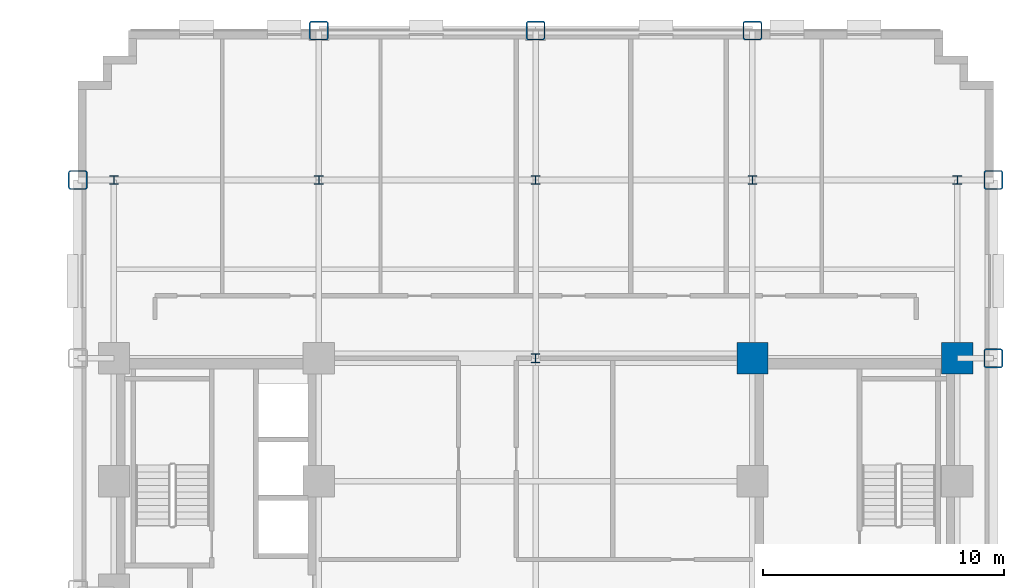
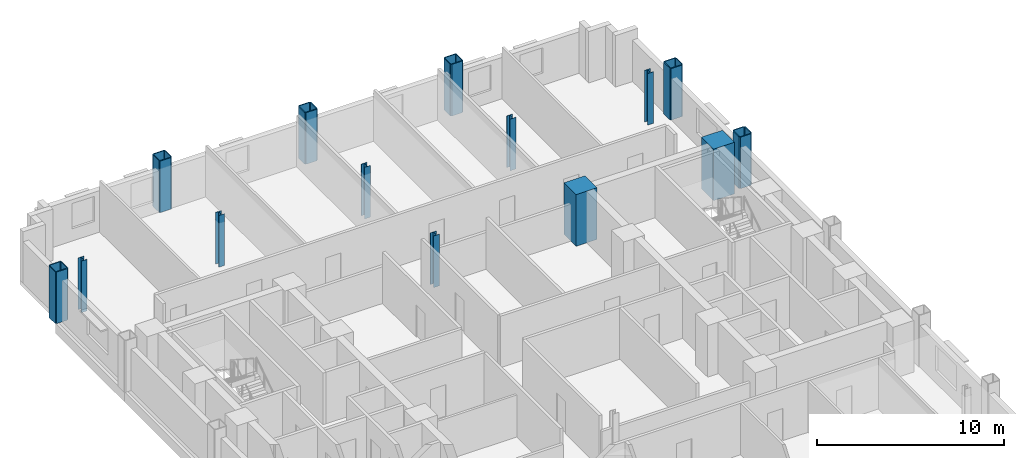
# One storey, part 2 of 12: 14 columns.
"""IFC4 building model written with IfcOpenShell, lengths in metres."""

from ifc_helpers import new_model, si_unit, direction, frame, origin, origin_2d, place, context, subcontext, project, spatial, rectangle, hollow_rectangle, i_section, extrude, material, material_profile, profile_set, type_object, element, save


model = new_model("IFC4")

# Units and contexts
model_context = context("Model", 3, precision=1e-05, world=origin(), true_north=direction((0.0, 1.0)))
body_context = subcontext(model_context, "Body", "Model", "MODEL_VIEW")
ifc_project = project(units=[si_unit("LENGTHUNIT", "METRE"), si_unit("AREAUNIT", "SQUARE_METRE"), si_unit("VOLUMEUNIT", "CUBIC_METRE"), si_unit("PLANEANGLEUNIT", "RADIAN"), si_unit("MASSUNIT", "GRAM", prefix="KILO")], contexts=[model_context])

# Site, building, storey
site_placement = place(None, origin())
site = spatial("IfcSite", under=ifc_project, at=site_placement, CompositionType="ELEMENT")
building_placement = place(site_placement, origin())
building = spatial("IfcBuilding", under=site, at=building_placement, Name="Nuvemarco Arch Tower", CompositionType="ELEMENT")
storey_placement = place(building_placement, frame((0.0, 0.0, 49.5)))
storey = spatial("IfcBuildingStorey", under=building, at=storey_placement, Name="L12", CompositionType="ELEMENT", Elevation=49.5)

# Columns
ifc_material_1 = material(Name="Concrete C60/75", Category="concrete")
ifc_material_profile_1 = material_profile(ifc_material_1, rectangle(XDim=1.300048828125, YDim=1.300048828125, at=origin_2d()), Name="RC-COL-1300x1300")
ifc_profile_set_1 = profile_set([ifc_material_profile_1], Name="Concrete C60/75")
column_type_1 = type_object("IfcColumnType", Name="COL-CORE-1300", PredefinedType="COLUMN", material=ifc_profile_set_1)
for number, where, z_axis, x_axis, name in (
    (1, (9.0, 9.60009765625, 0.0), (0.0, 0.0, 1.0), (1.0, 0.0, 0.0), "L12 column CC_+9.0_+9.6"),
    (2, (17.5, 9.60009765625, 0.0), (0.0, 0.0, 1.0), (1.0, 0.0, 0.0), "L12 column CC_+17.5_+9.6"),
):
    element("IfcColumn", number, at=place(storey_placement, frame(where, z_axis=z_axis, x_axis=x_axis)), inside=storey, type_object=column_type_1, Name=name, PredefinedType="COLUMN", context=body_context, shape_type="SweptSolid", body=[
        extrude(rectangle(XDim=1.300048828125, YDim=1.300048828125, at=origin_2d()), origin(), (0.0, 0.0, 1.0), 3.3701171875),
    ])
ifc_material_2 = material(Name="Steel S460", Category="steel")
ifc_material_profile_2 = material_profile(ifc_material_2, hollow_rectangle(XDim=0.800048828125, YDim=0.800048828125, WallThickness=0.054931640625, InnerFilletRadius=0.054931640625, OuterFilletRadius=0.110107421875, at=origin_2d()), Name="SHS800x800x55")
ifc_profile_set_2 = profile_set([ifc_material_profile_2], Name="Steel S460")
column_type_2 = type_object("IfcColumnType", Name="COL-EXO-800", PredefinedType="COLUMN", material=ifc_profile_set_2)
for number, where, z_axis, x_axis, name in (
    (3, (-19.0, 17.0, 0.0), (0.0, 0.0, 1.0), (1.0, 0.0, 0.0), "L12 column CX_-19.0_+17.0"),
    (4, (19.0, 9.60009765625, 0.0), (0.0, 0.0, 1.0), (1.0, 0.0, 0.0), "L12 column CX_+19.0_+9.6"),
    (5, (19.0, 17.0, 0.0), (0.0, 0.0, 1.0), (1.0, 0.0, 0.0), "L12 column CX_+19.0_+17.0"),
    (6, (-9.0, 23.199951171875, 0.0), (0.0, 0.0, 1.0), (1.0, 0.0, 0.0), "L12 column CY_-9.0_+23.2"),
    (7, (0.0, 23.199951171875, 0.0), (0.0, 0.0, 1.0), (1.0, 0.0, 0.0), "L12 column CY_+0.0_+23.2"),
    (8, (9.0, 23.199951171875, 0.0), (0.0, 0.0, 1.0), (1.0, 0.0, 0.0), "L12 column CY_+9.0_+23.2"),
):
    element("IfcColumn", number, at=place(storey_placement, frame(where, z_axis=z_axis, x_axis=x_axis)), inside=storey, type_object=column_type_2, Name=name, PredefinedType="COLUMN", context=body_context, shape_type="SweptSolid", body=[
        extrude(hollow_rectangle(XDim=0.800048828125, YDim=0.800048828125, WallThickness=0.054931640625, InnerFilletRadius=0.054931640625, OuterFilletRadius=0.110107421875, at=origin_2d()), origin(), (0.0, 0.0, 1.0), 3.3701171875),
    ])
ifc_material_3 = material(Name="Steel S355", Category="steel")
ifc_material_profile_3 = material_profile(ifc_material_3, i_section(OverallWidth=0.360107421875, OverallDepth=0.360107421875, WebThickness=0.0205078125, FlangeThickness=0.0205078125, FilletRadius=0.01806640625, at=origin_2d()), Name="HP360x174")
ifc_profile_set_3 = profile_set([ifc_material_profile_3], Name="Steel S355")
column_type_3 = type_object("IfcColumnType", Name="COL-STL-HP360", PredefinedType="COLUMN", material=ifc_profile_set_3)
for number, where, z_axis, x_axis, name in (
    (9, (0.0, 9.60009765625, 0.0), (0.0, 0.0, 1.0), (1.0, 0.0, 0.0), "L12 column CI_+0.0_+9.6"),
    (10, (0.0, 17.0, 0.0), (0.0, 0.0, 1.0), (1.0, 0.0, 0.0), "L12 column CI_+0.0_+17.0"),
    (11, (-17.5, 17.0, 0.0), (0.0, 0.0, 1.0), (1.0, 0.0, 0.0), "L12 column CI_-17.5_+17.0"),
    (12, (-9.0, 17.0, 0.0), (0.0, 0.0, 1.0), (1.0, 0.0, 0.0), "L12 column CI_-9.0_+17.0"),
    (13, (9.0, 17.0, 0.0), (0.0, 0.0, 1.0), (1.0, 0.0, 0.0), "L12 column CI_+9.0_+17.0"),
    (14, (17.5, 17.0, 0.0), (0.0, 0.0, 1.0), (1.0, 0.0, 0.0), "L12 column CI_+17.5_+17.0"),
):
    element("IfcColumn", number, at=place(storey_placement, frame(where, z_axis=z_axis, x_axis=x_axis)), inside=storey, type_object=column_type_3, Name=name, PredefinedType="COLUMN", context=body_context, shape_type="SweptSolid", body=[
        extrude(i_section(OverallWidth=0.360107421875, OverallDepth=0.360107421875, WebThickness=0.0205078125, FlangeThickness=0.0205078125, FilletRadius=0.01806640625, at=origin_2d()), origin(), (0.0, 0.0, 1.0), 3.3701171875),
    ])

save(model, "model.ifc")
